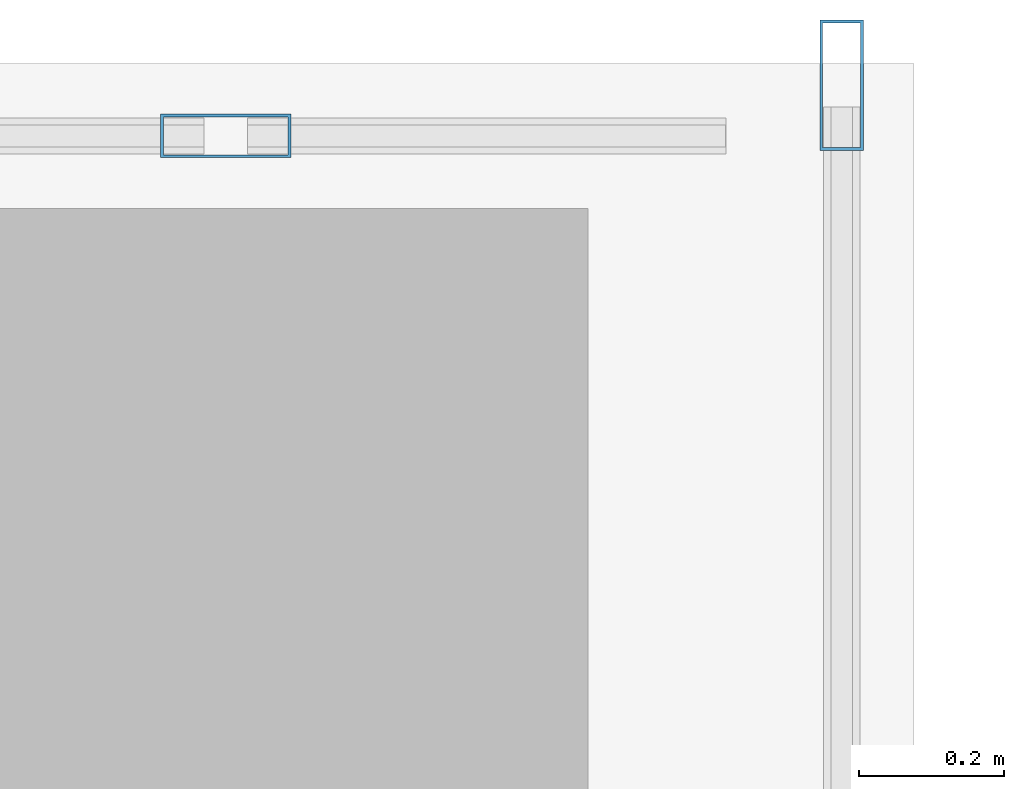
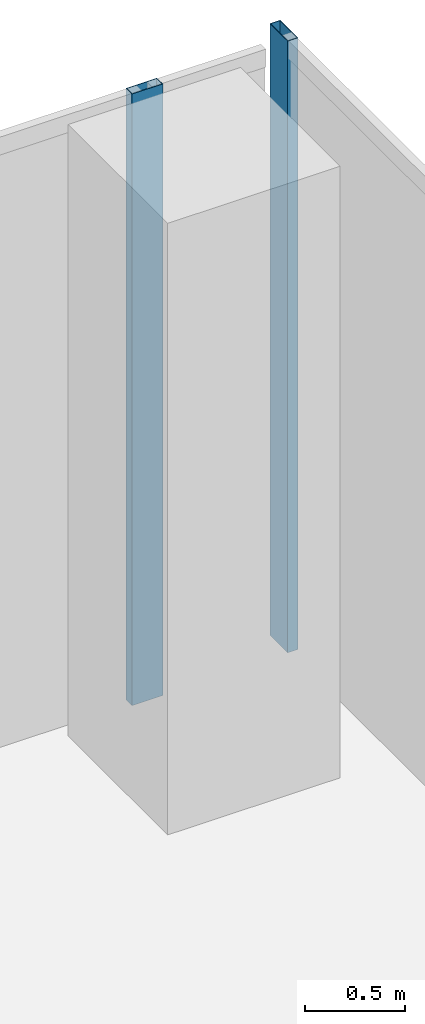
# One storey, part 27 of 40: 2 members, 2 elements without a shape of their own.
"""IFC4 building model written with IfcOpenShell, lengths in metres."""

from ifc_helpers import new_model, si_unit, direction, frame, origin, origin_2d, place, context, subcontext, project, spatial, hollow_rectangle, extrude, source, transform, mapped, material, material_profile, profile_set, type_object, element, aggregate, save


model = new_model("IFC4")

# Units and contexts
model_context = context("Model", 3, precision=1e-05, world=origin(), true_north=direction((0.0, 1.0)))
body_context = subcontext(model_context, "Body", "Model", "MODEL_VIEW")
ifc_project = project(units=[si_unit("LENGTHUNIT", "METRE"), si_unit("AREAUNIT", "SQUARE_METRE"), si_unit("VOLUMEUNIT", "CUBIC_METRE"), si_unit("PLANEANGLEUNIT", "RADIAN"), si_unit("MASSUNIT", "GRAM", prefix="KILO")], contexts=[model_context])

# Site, building, storey
site_placement = place(None, origin())
site = spatial("IfcSite", under=ifc_project, at=site_placement, CompositionType="ELEMENT")
building_placement = place(site_placement, origin())
building = spatial("IfcBuilding", under=site, at=building_placement, Name="Khomas Fold Tower", CompositionType="ELEMENT")
storey_placement = place(building_placement, frame((0.0, 0.0, 204.699951171875)))
storey = spatial("IfcBuildingStorey", under=building, at=storey_placement, Name="L45", CompositionType="ELEMENT", Elevation=204.699951171875)

# Curtain wall, member
ifc_material_1 = material(Name="Aluminium framed double glazing", Category="aluminium")
curtain_wall_type = type_object("IfcCurtainWallType", Name="SK-Unitised clear-glass wall, office floors CW2", PredefinedType="NOTDEFINED", material=ifc_material_1)
curtain_wall_1_placement = place(storey_placement, origin())
curtain_wall_1 = element("IfcCurtainWall", 1, at=curtain_wall_1_placement, inside=storey, type_object=curtain_wall_type, Name="CW2 corner return L45 05", PredefinedType="NOTDEFINED")
ifc_material_2 = material(Name="Aluminium", Category="aluminium")
ifc_material_profile = material_profile(ifc_material_2, hollow_rectangle(XDim=0.06005859375, YDim=0.179931640625, WallThickness=0.00390625, at=origin_2d()), Name="SK-Unitised clear-glass wall, office floors mullion CW2-M")
ifc_profile_set = profile_set([ifc_material_profile], Name="Aluminium")
member_type = type_object("IfcMemberType", Name="SK-Unitised clear-glass wall, office floors mullion CW2-M", PredefinedType="MULLION", material=ifc_profile_set)
shared_shape = source(origin(), body_context, "Body", "SweptSolid", [
    extrude(hollow_rectangle(XDim=0.06005859375, YDim=0.179931640625, WallThickness=0.00390625, at=origin_2d()), origin(), (0.0, 0.0, 1.0), 3.75),
])
member_1_placement = place(storey_placement, frame((46.39990234375, 50.969970703125, 0.0), z_axis=(0.0, 0.0, 1.0), x_axis=(-1.0, 0.0, 0.0)))
member_1 = element("IfcMember", 2, at=member_1_placement, type_object=member_type, Name="CW2 mullion 2", PredefinedType="MULLION", context=body_context, shape_type="MappedRepresentation", body=[
    mapped(shared_shape, transform((0.0, 0.0, 0.0))),
])
aggregate(curtain_wall_1, [member_1])

curtain_wall_2_placement = place(storey_placement, origin())
curtain_wall_2 = element("IfcCurtainWall", 3, at=curtain_wall_2_placement, inside=storey, type_object=curtain_wall_type, Name="CW2 run L45 06-0", PredefinedType="NOTDEFINED")
member_2_placement = place(storey_placement, frame((45.550048828125, 50.89990234375, 0.0), z_axis=(0.0, 0.0, 1.0), x_axis=(0.0, -1.0, 0.0)))
member_2 = element("IfcMember", 4, at=member_2_placement, type_object=member_type, Name="CW2 mullion 2", PredefinedType="MULLION", context=body_context, shape_type="MappedRepresentation", body=[
    mapped(shared_shape, transform((0.0, 0.0, 0.0))),
])
aggregate(curtain_wall_2, [member_2])

save(model, "model.ifc")
